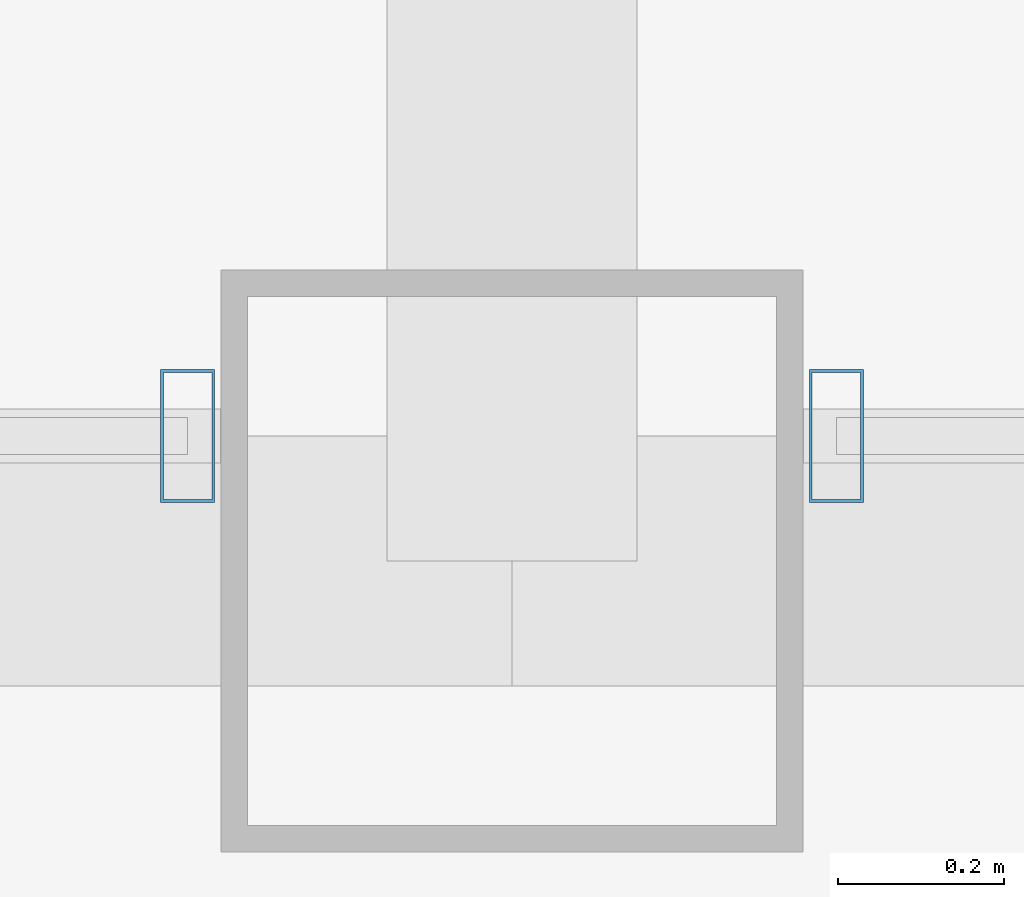
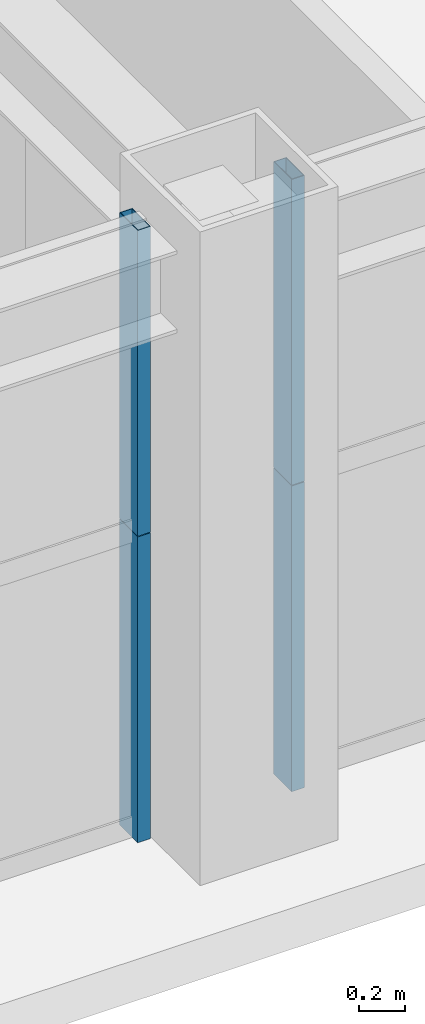
# One storey, part 9 of 37: 4 members, 2 elements without a shape of their own.
"""IFC4 building model written with IfcOpenShell, lengths in metres."""

from ifc_helpers import new_model, si_unit, direction, frame, origin, origin_2d, place, context, subcontext, project, spatial, hollow_rectangle, extrude, source, transform, mapped, material, layer, layer_set, material_profile, profile_set, type_object, element, aggregate, save


model = new_model("IFC4")

# Units and contexts
model_context = context("Model", 3, precision=1e-05, world=origin(), true_north=direction((0.0, 1.0)))
body_context = subcontext(model_context, "Body", "Model", "MODEL_VIEW")
ifc_project = project(units=[si_unit("LENGTHUNIT", "METRE"), si_unit("AREAUNIT", "SQUARE_METRE"), si_unit("VOLUMEUNIT", "CUBIC_METRE"), si_unit("PLANEANGLEUNIT", "RADIAN"), si_unit("MASSUNIT", "GRAM", prefix="KILO"), si_unit("THERMODYNAMICTEMPERATUREUNIT", "KELVIN"), si_unit("POWERUNIT", "WATT")], contexts=[model_context])

# Site, building, storey
site_placement = place(None, origin())
site = spatial("IfcSite", under=ifc_project, at=site_placement, CompositionType="ELEMENT")
building_placement = place(site_placement, origin())
building = spatial("IfcBuilding", under=site, at=building_placement, Name="Yuzanri Waterfront Tower", CompositionType="ELEMENT")
storey_placement = place(building_placement, frame((0.0, 0.0, 245.10009765625)))
storey = spatial("IfcBuildingStorey", under=building, at=storey_placement, Name="L65", CompositionType="ELEMENT", Elevation=245.10009765625)

# Curtain wall, members
ifc_material_1 = material(Name="Anodized Architectural Bronze", Category="metal")
ifc_layer = layer(ifc_material_1, 0.159912109375)
ifc_layer_set = layer_set([ifc_layer], Name="Anodized Architectural Bronze")
curtain_wall_type = type_object("IfcCurtainWallType", Name="Anodized Bronze Mid-Rise Residential Acoustic Unitized Curtain Wall 7200", PredefinedType="NOTDEFINED", material=ifc_layer_set)
curtain_wall_1_placement = place(storey_placement, origin())
curtain_wall_1 = element("IfcCurtainWall", 1, at=curtain_wall_1_placement, inside=storey, type_object=curtain_wall_type, Name="L65 Curtain Wall CW-L65-SL", PredefinedType="NOTDEFINED")
ifc_material_2 = material(Name="Anodized Architectural Bronze", Category="metal")
ifc_material_profile = material_profile(ifc_material_2, hollow_rectangle(XDim=0.06494140625, YDim=0.159912109375, WallThickness=0.00341796875, at=origin_2d()), Name="CWM 65x160")
ifc_profile_set = profile_set([ifc_material_profile], Name="Anodized Architectural Bronze")
member_type = type_object("IfcMemberType", Name="Anodized Bronze Upper-Zone Curtain-Wall Mullion 65x160", PredefinedType="MULLION", material=ifc_profile_set)
shared_shape = source(origin(), body_context, "Body", "SweptSolid", [
    extrude(hollow_rectangle(XDim=0.06494140625, YDim=0.159912109375, WallThickness=0.00341796875, at=origin_2d()), origin(), (0.0, 0.0, 1.0), 1.637939453125),
])
member_1_placement = place(storey_placement, frame((36.610107421875, 5.35009765625, 0.0), z_axis=(0.0, 0.0, 1.0), x_axis=(1.0, 0.0, 0.0)))
member_1 = element("IfcMember", 2, at=member_1_placement, type_object=member_type, Name="CW-L65-SL Lower Mullion 02", PredefinedType="MULLION", context=body_context, shape_type="MappedRepresentation", body=[
    mapped(shared_shape, transform((0.0, 0.0, 0.0), scale=1.0)),
])
member_2_placement = place(storey_placement, frame((36.610107421875, 5.35009765625, 1.641845703125), z_axis=(0.0, 0.0, 1.0), x_axis=(1.0, 0.0, 0.0)))
member_2 = element("IfcMember", 3, at=member_2_placement, type_object=member_type, Name="CW-L65-SL Upper Mullion 02", PredefinedType="MULLION", context=body_context, shape_type="MappedRepresentation", body=[
    mapped(shared_shape, transform((0.0, 0.0, 0.0), scale=1.0)),
])
aggregate(curtain_wall_1, [member_1, member_2])

curtain_wall_2_placement = place(storey_placement, origin())
curtain_wall_2 = element("IfcCurtainWall", 4, at=curtain_wall_2_placement, inside=storey, type_object=curtain_wall_type, Name="L65 Curtain Wall CW-L65-SR", PredefinedType="NOTDEFINED")
member_3_placement = place(storey_placement, frame((37.389892578125, 5.35009765625, 0.0), z_axis=(0.0, 0.0, 1.0), x_axis=(1.0, 0.0, 0.0)))
member_3 = element("IfcMember", 5, at=member_3_placement, type_object=member_type, Name="CW-L65-SR Lower Mullion 00", PredefinedType="MULLION", context=body_context, shape_type="MappedRepresentation", body=[
    mapped(shared_shape, transform((0.0, 0.0, 0.0), scale=1.0)),
])
member_4_placement = place(storey_placement, frame((37.389892578125, 5.35009765625, 1.641845703125), z_axis=(0.0, 0.0, 1.0), x_axis=(1.0, 0.0, 0.0)))
member_4 = element("IfcMember", 6, at=member_4_placement, type_object=member_type, Name="CW-L65-SR Upper Mullion 00", PredefinedType="MULLION", context=body_context, shape_type="MappedRepresentation", body=[
    mapped(shared_shape, transform((0.0, 0.0, 0.0), scale=1.0)),
])
aggregate(curtain_wall_2, [member_3, member_4])

save(model, "model.ifc")
